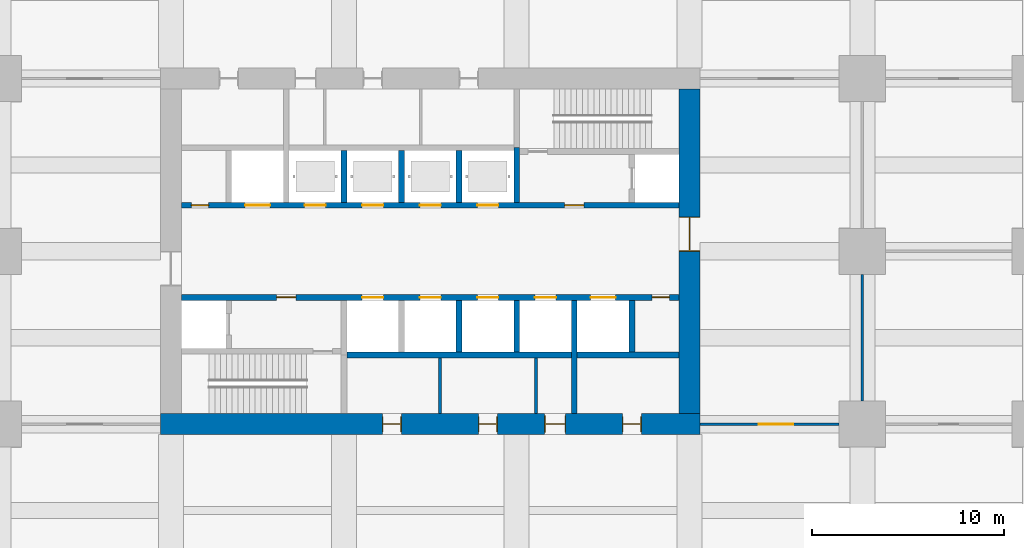
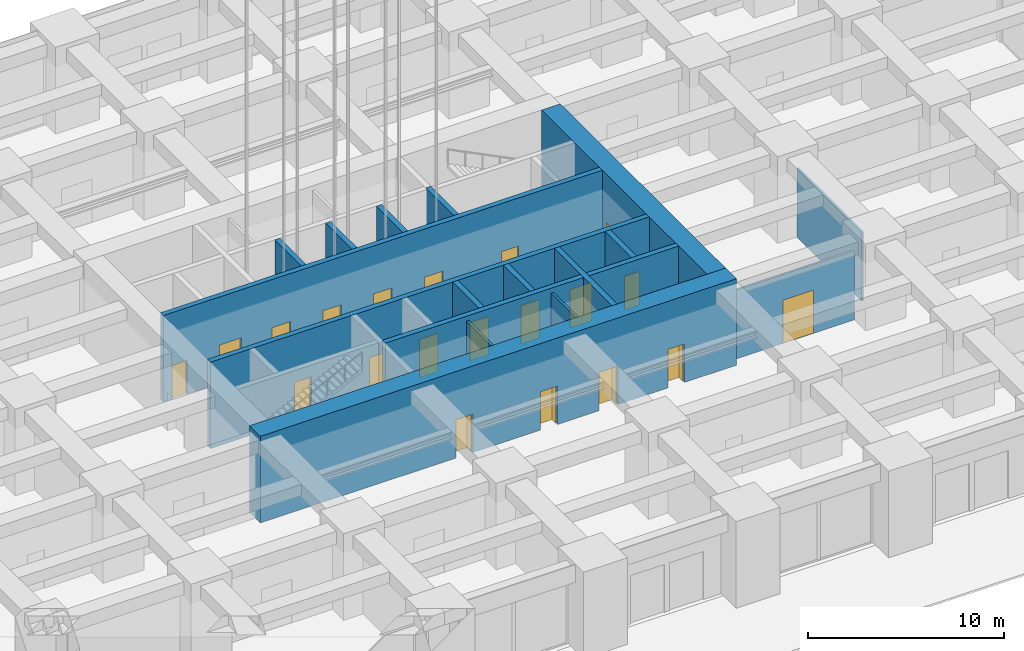
# One storey, part 42 of 56: 20 doors, 17 walls, 20 openings.
"""IFC4 building model written with IfcOpenShell, lengths in metres."""

from ifc_helpers import new_model, si_unit, direction, frame, frame_2d, origin, place, context, subcontext, project, spatial, rectangle, extrude, material, layer, layer_set, type_object, element, fill, save


model = new_model("IFC4")

# Units and contexts
model_context = context("Model", 3, precision=1e-05, world=origin(), true_north=direction((0.0, 1.0)))
body_context = subcontext(model_context, "Body", "Model", "MODEL_VIEW")
ifc_project = project(units=[si_unit("LENGTHUNIT", "METRE"), si_unit("AREAUNIT", "SQUARE_METRE"), si_unit("VOLUMEUNIT", "CUBIC_METRE"), si_unit("PLANEANGLEUNIT", "RADIAN"), si_unit("MASSUNIT", "GRAM", prefix="KILO")], contexts=[model_context])

# Site, building, storey
site_placement = place(None, origin())
site = spatial("IfcSite", under=ifc_project, at=site_placement, CompositionType="ELEMENT")
building_placement = place(site_placement, origin())
building = spatial("IfcBuilding", under=site, at=building_placement, Name="Zorevar Civic Tower", CompositionType="ELEMENT")
storey_placement = place(building_placement, origin())
storey = spatial("IfcBuildingStorey", under=building, at=storey_placement, Name="L00", CompositionType="ELEMENT", Elevation=0.0)

# Wall, openings, doors
ifc_material_1 = material(Name="Concrete C50/60", Category="concrete")
ifc_layer_1 = layer(ifc_material_1, 1.10009765625)
ifc_layer_set_1 = layer_set([ifc_layer_1], Name="Core wall 1100")
wall_type_1 = type_object("IfcWallType", Name="Core wall 1100", PredefinedType="SHEAR", material=ifc_layer_set_1)
wall_1_placement = place(storey_placement, frame((17.449951171875, 18.0, 0.0), z_axis=(0.0, 0.0, 1.0), x_axis=(1.0, 0.0, 0.0)))
wall_1 = element("IfcWall", 1, at=wall_1_placement, inside=storey, type_object=wall_type_1, Name="Core wall S L00", PredefinedType="SHEAR", context=body_context, shape_type="SweptSolid", body=[
    extrude(rectangle(XDim=28.10009765625, YDim=1.10009765625, at=frame_2d((14.050048828125, 0.0))), origin(), (0.0, 0.0, 1.0), 5.39990234375),
])
opening_1_placement = place(wall_1_placement, frame((11.550048828125, 0.0, 0.0)))
opening_1 = element("IfcOpeningElement", 2, at=opening_1_placement, cuts=wall_1, Name="Opening L00.03", PredefinedType="OPENING", context=body_context, shape_type="SweptSolid", body=[
    extrude(rectangle(XDim=1.0, YDim=2.39990234375, at=frame_2d((0.5, 1.199951171875))), frame((0.0, 0.56005859375, 0.0), z_axis=(0.0, -1.0, 0.0), x_axis=(1.0, 0.0, 0.0)), (0.0, 0.0, 1.0), 1.1201171875),
])
opening_2_placement = place(wall_1_placement, frame((16.550048828125, 0.0, 0.0)))
opening_2 = element("IfcOpeningElement", 3, at=opening_2_placement, cuts=wall_1, Name="Opening L00.04", PredefinedType="OPENING", context=body_context, shape_type="SweptSolid", body=[
    extrude(rectangle(XDim=1.0, YDim=2.39990234375, at=frame_2d((0.5, 1.199951171875))), frame((0.0, 0.56005859375, 0.0), z_axis=(0.0, -1.0, 0.0), x_axis=(1.0, 0.0, 0.0)), (0.0, 0.0, 1.0), 1.1201171875),
])
opening_3_placement = place(wall_1_placement, frame((20.0, 0.0, 0.0)))
opening_3 = element("IfcOpeningElement", 4, at=opening_3_placement, cuts=wall_1, Name="Opening L00.05", PredefinedType="OPENING", context=body_context, shape_type="SweptSolid", body=[
    extrude(rectangle(XDim=1.10009765625, YDim=2.39990234375, at=frame_2d((0.550048828125, 1.199951171875))), frame((0.0, 0.56005859375, 0.0), z_axis=(0.0, -1.0, 0.0), x_axis=(1.0, 0.0, 0.0)), (0.0, 0.0, 1.0), 1.1201171875),
])
opening_4_placement = place(wall_1_placement, frame((24.050048828125, 0.0, 0.0)))
opening_4 = element("IfcOpeningElement", 5, at=opening_4_placement, cuts=wall_1, Name="Opening L00.06", PredefinedType="OPENING", context=body_context, shape_type="SweptSolid", body=[
    extrude(rectangle(XDim=1.0, YDim=2.39990234375, at=frame_2d((0.5, 1.199951171875))), frame((0.0, 0.56005859375, 0.0), z_axis=(0.0, -1.0, 0.0), x_axis=(1.0, 0.0, 0.0)), (0.0, 0.0, 1.0), 1.1201171875),
])
ifc_material_2 = material(Name="Timber door set", Category="wood")
door_type_1 = type_object("IfcDoorType", Name="Door D1 1000x2400", OperationType="SINGLE_SWING_LEFT", PredefinedType="DOOR", material=ifc_material_2)
door_1_placement = place(opening_1_placement, origin())
door_1 = element("IfcDoor", 6, at=door_1_placement, inside=storey, type_object=door_type_1, Name="Door L00 02", OperationType="SINGLE_SWING_RIGHT", OverallHeight=2.39990234375, OverallWidth=1.0, PredefinedType="DOOR", context=body_context, shape_type="SweptSolid", body=[
    extrude(rectangle(XDim=1.0, YDim=2.39990234375, at=frame_2d((0.5, 1.199951171875))), frame((0.0, 0.02490234375, 0.0), z_axis=(0.0, -1.0, 0.0), x_axis=(1.0, 0.0, 0.0)), (0.0, 0.0, 1.0), 0.050048828125),
    extrude(rectangle(XDim=0.04, YDim=2.39990234375, at=frame_2d((0.02001953125, 1.199951171875))), frame((0.0, 0.39990234375, 0.0), z_axis=(0.0, -1.0, 0.0), x_axis=(1.0, 0.0, 0.0)), (0.0, 0.0, 1.0), 0.800048828125),
    extrude(rectangle(XDim=0.04, YDim=2.39990234375, at=frame_2d((0.97998046875, 1.199951171875))), frame((0.0, 0.39990234375, 0.0), z_axis=(0.0, -1.0, 0.0), x_axis=(1.0, 0.0, 0.0)), (0.0, 0.0, 1.0), 0.800048828125),
    extrude(rectangle(XDim=1.0, YDim=0.04, at=frame_2d((0.5, 2.3798828125))), frame((0.0, 0.39990234375, 0.0), z_axis=(0.0, -1.0, 0.0), x_axis=(1.0, 0.0, 0.0)), (0.0, 0.0, 1.0), 0.800048828125),
])
fill(opening_1, door_1)
door_2_placement = place(opening_2_placement, origin())
door_2 = element("IfcDoor", 7, at=door_2_placement, inside=storey, type_object=door_type_1, Name="Door L00 03", OperationType="SINGLE_SWING_LEFT", OverallHeight=2.39990234375, OverallWidth=1.0, PredefinedType="DOOR", context=body_context, shape_type="SweptSolid", body=[
    extrude(rectangle(XDim=1.0, YDim=2.39990234375, at=frame_2d((0.5, 1.199951171875))), frame((0.0, 0.02490234375, 0.0), z_axis=(0.0, -1.0, 0.0), x_axis=(1.0, 0.0, 0.0)), (0.0, 0.0, 1.0), 0.050048828125),
    extrude(rectangle(XDim=0.04, YDim=2.39990234375, at=frame_2d((0.02001953125, 1.199951171875))), frame((0.0, 0.39990234375, 0.0), z_axis=(0.0, -1.0, 0.0), x_axis=(1.0, 0.0, 0.0)), (0.0, 0.0, 1.0), 0.800048828125),
    extrude(rectangle(XDim=0.04, YDim=2.39990234375, at=frame_2d((0.97998046875, 1.199951171875))), frame((0.0, 0.39990234375, 0.0), z_axis=(0.0, -1.0, 0.0), x_axis=(1.0, 0.0, 0.0)), (0.0, 0.0, 1.0), 0.800048828125),
    extrude(rectangle(XDim=1.0, YDim=0.04, at=frame_2d((0.5, 2.3798828125))), frame((0.0, 0.39990234375, 0.0), z_axis=(0.0, -1.0, 0.0), x_axis=(1.0, 0.0, 0.0)), (0.0, 0.0, 1.0), 0.800048828125),
])
fill(opening_2, door_2)
door_3_placement = place(opening_4_placement, origin())
door_3 = element("IfcDoor", 8, at=door_3_placement, inside=storey, type_object=door_type_1, Name="Door L00 05", OperationType="SINGLE_SWING_LEFT", OverallHeight=2.39990234375, OverallWidth=1.0, PredefinedType="DOOR", context=body_context, shape_type="SweptSolid", body=[
    extrude(rectangle(XDim=1.0, YDim=2.39990234375, at=frame_2d((0.5, 1.199951171875))), frame((0.0, 0.02490234375, 0.0), z_axis=(0.0, -1.0, 0.0), x_axis=(1.0, 0.0, 0.0)), (0.0, 0.0, 1.0), 0.050048828125),
    extrude(rectangle(XDim=0.04, YDim=2.39990234375, at=frame_2d((0.02001953125, 1.199951171875))), frame((0.0, 0.39990234375, 0.0), z_axis=(0.0, -1.0, 0.0), x_axis=(1.0, 0.0, 0.0)), (0.0, 0.0, 1.0), 0.800048828125),
    extrude(rectangle(XDim=0.04, YDim=2.39990234375, at=frame_2d((0.97998046875, 1.199951171875))), frame((0.0, 0.39990234375, 0.0), z_axis=(0.0, -1.0, 0.0), x_axis=(1.0, 0.0, 0.0)), (0.0, 0.0, 1.0), 0.800048828125),
    extrude(rectangle(XDim=1.0, YDim=0.04, at=frame_2d((0.5, 2.3798828125))), frame((0.0, 0.39990234375, 0.0), z_axis=(0.0, -1.0, 0.0), x_axis=(1.0, 0.0, 0.0)), (0.0, 0.0, 1.0), 0.800048828125),
])
fill(opening_4, door_3)
ifc_material_3 = material(Name="Timber door set", Category="wood")
door_type_2 = type_object("IfcDoorType", Name="Door D5 1100x2400", OperationType="SINGLE_SWING_LEFT", PredefinedType="DOOR", material=ifc_material_3)
door_4_placement = place(opening_3_placement, origin())
door_4 = element("IfcDoor", 9, at=door_4_placement, inside=storey, type_object=door_type_2, Name="Door L00 04", OperationType="SINGLE_SWING_LEFT", OverallHeight=2.39990234375, OverallWidth=1.10009765625, PredefinedType="DOOR", context=body_context, shape_type="SweptSolid", body=[
    extrude(rectangle(XDim=1.10009765625, YDim=2.39990234375, at=frame_2d((0.550048828125, 1.199951171875))), frame((0.0, 0.02490234375, 0.0), z_axis=(0.0, -1.0, 0.0), x_axis=(1.0, 0.0, 0.0)), (0.0, 0.0, 1.0), 0.050048828125),
    extrude(rectangle(XDim=0.04, YDim=2.39990234375, at=frame_2d((0.02001953125, 1.199951171875))), frame((0.0, 0.43994140625, 0.0), z_axis=(0.0, -1.0, 0.0), x_axis=(1.0, 0.0, 0.0)), (0.0, 0.0, 1.0), 0.880126953125),
    extrude(rectangle(XDim=0.04, YDim=2.39990234375, at=frame_2d((1.080078125, 1.199951171875))), frame((0.0, 0.43994140625, 0.0), z_axis=(0.0, -1.0, 0.0), x_axis=(1.0, 0.0, 0.0)), (0.0, 0.0, 1.0), 0.880126953125),
    extrude(rectangle(XDim=1.10009765625, YDim=0.04, at=frame_2d((0.550048828125, 2.3798828125))), frame((0.0, 0.43994140625, 0.0), z_axis=(0.0, -1.0, 0.0), x_axis=(1.0, 0.0, 0.0)), (0.0, 0.0, 1.0), 0.880126953125),
])
fill(opening_3, door_4)

# Wall, opening, door
wall_2_placement = place(storey_placement, frame((45.0, 18.550048828125, 0.0), z_axis=(0.0, 0.0, 1.0), x_axis=(0.0, 1.0, 0.0)))
wall_2 = element("IfcWall", 10, at=wall_2_placement, inside=storey, type_object=wall_type_1, Name="Core wall E L00", PredefinedType="SHEAR", context=body_context, shape_type="SweptSolid", body=[
    extrude(rectangle(XDim=16.89990234375, YDim=1.10009765625, at=frame_2d((8.449951171875, 0.0))), origin(), (0.0, 0.0, 1.0), 5.39990234375),
])
opening_5_placement = place(wall_2_placement, frame((8.449951171875, 0.0, 0.0)))
opening_5 = element("IfcOpeningElement", 11, at=opening_5_placement, cuts=wall_2, Name="Opening L00.02", PredefinedType="OPENING", context=body_context, shape_type="SweptSolid", body=[
    extrude(rectangle(XDim=1.800048828125, YDim=2.39990234375, at=frame_2d((0.89990234375, 1.199951171875))), frame((0.0, 0.56005859375, 0.0), z_axis=(0.0, -1.0, 0.0), x_axis=(1.0, 0.0, 0.0)), (0.0, 0.0, 1.0), 1.1201171875),
])
ifc_material_4 = material(Name="Steel door set", Category="steel")
door_type_3 = type_object("IfcDoorType", Name="Fire door FD2 1800x2400", OperationType="DOUBLE_DOOR_DOUBLE_SWING", PredefinedType="DOOR", material=ifc_material_4)
door_5_placement = place(opening_5_placement, origin())
door_5 = element("IfcDoor", 12, at=door_5_placement, inside=storey, type_object=door_type_3, Name="Door L00 01", OperationType="DOUBLE_DOOR_DOUBLE_SWING", OverallHeight=2.39990234375, OverallWidth=1.800048828125, PredefinedType="DOOR", context=body_context, shape_type="SweptSolid", body=[
    extrude(rectangle(XDim=1.800048828125, YDim=2.39990234375, at=frame_2d((0.89990234375, 1.199951171875))), frame((0.0, 0.030029296875, 0.0), z_axis=(0.0, -1.0, 0.0), x_axis=(1.0, 0.0, 0.0)), (0.0, 0.0, 1.0), 0.06005859375),
    extrude(rectangle(XDim=0.04, YDim=2.39990234375, at=frame_2d((0.02001953125, 1.199951171875))), frame((0.0, 0.5498046875, 0.0), z_axis=(0.0, -1.0, 0.0), x_axis=(1.0, 0.0, 0.0)), (0.0, 0.0, 1.0), 1.099609375),
    extrude(rectangle(XDim=0.04, YDim=2.39990234375, at=frame_2d((1.780029296875, 1.199951171875))), frame((0.0, 0.5498046875, 0.0), z_axis=(0.0, -1.0, 0.0), x_axis=(1.0, 0.0, 0.0)), (0.0, 0.0, 1.0), 1.099609375),
    extrude(rectangle(XDim=1.800048828125, YDim=0.04, at=frame_2d((0.89990234375, 2.3798828125))), frame((0.0, 0.5498046875, 0.0), z_axis=(0.0, -1.0, 0.0), x_axis=(1.0, 0.0, 0.0)), (0.0, 0.0, 1.0), 1.099609375),
])
fill(opening_5, door_5)

# Wall, openings, doors
ifc_material_5 = material(Name="Concrete C40/50", Category="concrete")
ifc_layer_2 = layer(ifc_material_5, 0.300048828125)
ifc_layer_set_2 = layer_set([ifc_layer_2], Name="Inner core wall 300")
wall_type_2 = type_object("IfcWallType", Name="Inner core wall 300", PredefinedType="SHEAR", material=ifc_layer_set_2)
wall_3_placement = place(storey_placement, frame((18.550048828125, 24.60009765625, 0.0), z_axis=(0.0, 0.0, 1.0), x_axis=(1.0, 0.0, 0.0)))
wall_3 = element("IfcWall", 13, at=wall_3_placement, inside=storey, type_object=wall_type_2, Name="Inner core wall S03 L00", PredefinedType="SHEAR", context=body_context, shape_type="SweptSolid", body=[
    extrude(rectangle(XDim=25.89990234375, YDim=0.300048828125, at=frame_2d((12.949951171875, 0.0))), origin(), (0.0, 0.0, 1.0), 5.39990234375),
])
opening_6_placement = place(wall_3_placement, frame((4.949951171875, 0.0, 0.0)))
opening_6 = element("IfcOpeningElement", 14, at=opening_6_placement, cuts=wall_3, Name="Opening L00.13", PredefinedType="OPENING", context=body_context, shape_type="SweptSolid", body=[
    extrude(rectangle(XDim=1.0, YDim=2.39990234375, at=frame_2d((0.5, 1.199951171875))), frame((0.0, 0.159912109375, 0.0), z_axis=(0.0, -1.0, 0.0), x_axis=(1.0, 0.0, 0.0)), (0.0, 0.0, 1.0), 0.320068359375),
])
opening_7_placement = place(wall_3_placement, frame((24.5, 0.0, 0.0)))
opening_7 = element("IfcOpeningElement", 15, at=opening_7_placement, cuts=wall_3, Name="Opening L00.15", PredefinedType="OPENING", context=body_context, shape_type="SweptSolid", body=[
    extrude(rectangle(XDim=0.89990234375, YDim=2.10009765625, at=frame_2d((0.449951171875, 1.050048828125))), frame((0.0, 0.159912109375, 0.0), z_axis=(0.0, -1.0, 0.0), x_axis=(1.0, 0.0, 0.0)), (0.0, 0.0, 1.0), 0.320068359375),
])
opening_8_placement = place(wall_3_placement, frame((9.39990234375, 0.0, 0.0)))
opening_8 = element("IfcOpeningElement", 16, at=opening_8_placement, cuts=wall_3, Name="Opening L00.LP1", PredefinedType="OPENING", context=body_context, shape_type="SweptSolid", body=[
    extrude(rectangle(XDim=1.10009765625, YDim=2.39990234375, at=frame_2d((0.550048828125, 1.199951171875))), frame((0.0, 0.159912109375, 0.0), z_axis=(0.0, -1.0, 0.0), x_axis=(1.0, 0.0, 0.0)), (0.0, 0.0, 1.0), 0.320068359375),
])
opening_9_placement = place(wall_3_placement, frame((12.39990234375, 0.0, 0.0)))
opening_9 = element("IfcOpeningElement", 17, at=opening_9_placement, cuts=wall_3, Name="Opening L00.LP2", PredefinedType="OPENING", context=body_context, shape_type="SweptSolid", body=[
    extrude(rectangle(XDim=1.10009765625, YDim=2.39990234375, at=frame_2d((0.550048828125, 1.199951171875))), frame((0.0, 0.159912109375, 0.0), z_axis=(0.0, -1.0, 0.0), x_axis=(1.0, 0.0, 0.0)), (0.0, 0.0, 1.0), 0.320068359375),
])
opening_10_placement = place(wall_3_placement, frame((15.39990234375, 0.0, 0.0)))
opening_10 = element("IfcOpeningElement", 18, at=opening_10_placement, cuts=wall_3, Name="Opening L00.LP3", PredefinedType="OPENING", context=body_context, shape_type="SweptSolid", body=[
    extrude(rectangle(XDim=1.10009765625, YDim=2.39990234375, at=frame_2d((0.550048828125, 1.199951171875))), frame((0.0, 0.159912109375, 0.0), z_axis=(0.0, -1.0, 0.0), x_axis=(1.0, 0.0, 0.0)), (0.0, 0.0, 1.0), 0.320068359375),
])
opening_11_placement = place(wall_3_placement, frame((18.39990234375, 0.0, 0.0)))
opening_11 = element("IfcOpeningElement", 19, at=opening_11_placement, cuts=wall_3, Name="Opening L00.LP4", PredefinedType="OPENING", context=body_context, shape_type="SweptSolid", body=[
    extrude(rectangle(XDim=1.10009765625, YDim=2.39990234375, at=frame_2d((0.550048828125, 1.199951171875))), frame((0.0, 0.159912109375, 0.0), z_axis=(0.0, -1.0, 0.0), x_axis=(1.0, 0.0, 0.0)), (0.0, 0.0, 1.0), 0.320068359375),
])
opening_12_placement = place(wall_3_placement, frame((21.300048828125, 0.0, 0.0)))
opening_12 = element("IfcOpeningElement", 20, at=opening_12_placement, cuts=wall_3, Name="Opening L00.SL1", PredefinedType="OPENING", context=body_context, shape_type="SweptSolid", body=[
    extrude(rectangle(XDim=1.300048828125, YDim=2.39990234375, at=frame_2d((0.64990234375, 1.199951171875))), frame((0.0, 0.159912109375, 0.0), z_axis=(0.0, -1.0, 0.0), x_axis=(1.0, 0.0, 0.0)), (0.0, 0.0, 1.0), 0.320068359375),
])
ifc_material_6 = material(Name="Steel door set", Category="steel")
door_type_4 = type_object("IfcDoorType", Name="Fire door FD1 1000x2400", OperationType="SINGLE_SWING_LEFT", PredefinedType="DOOR", material=ifc_material_6)
door_6_placement = place(opening_6_placement, origin())
door_6 = element("IfcDoor", 21, at=door_6_placement, inside=storey, type_object=door_type_4, Name="Door L00 12", OperationType="SINGLE_SWING_RIGHT", OverallHeight=2.39990234375, OverallWidth=1.0, PredefinedType="DOOR", context=body_context, shape_type="SweptSolid", body=[
    extrude(rectangle(XDim=1.0, YDim=2.39990234375, at=frame_2d((0.5, 1.199951171875))), frame((0.0, 0.030029296875, 0.0), z_axis=(0.0, -1.0, 0.0), x_axis=(1.0, 0.0, 0.0)), (0.0, 0.0, 1.0), 0.06005859375),
])
fill(opening_6, door_6)
ifc_material_7 = material(Name="Steel door set", Category="steel")
door_type_5 = type_object("IfcDoorType", Name="Landing door LD1 1100x2400", OperationType="DOUBLE_DOOR_SLIDING", PredefinedType="DOOR", material=ifc_material_7)
door_7_placement = place(opening_8_placement, origin())
door_7 = element("IfcDoor", 22, at=door_7_placement, inside=storey, type_object=door_type_5, Name="Landing door LP1 L00", OperationType="DOUBLE_DOOR_SLIDING", OverallHeight=2.39990234375, OverallWidth=1.10009765625, PredefinedType="DOOR", context=body_context, shape_type="SweptSolid", body=[
    extrude(rectangle(XDim=1.10009765625, YDim=2.39990234375, at=frame_2d((0.550048828125, 1.199951171875))), frame((0.0, 0.02001953125, 0.0), z_axis=(0.0, -1.0, 0.0), x_axis=(1.0, 0.0, 0.0)), (0.0, 0.0, 1.0), 0.0400390625),
])
fill(opening_8, door_7)
door_8_placement = place(opening_9_placement, origin())
door_8 = element("IfcDoor", 23, at=door_8_placement, inside=storey, type_object=door_type_5, Name="Landing door LP2 L00", OperationType="DOUBLE_DOOR_SLIDING", OverallHeight=2.39990234375, OverallWidth=1.10009765625, PredefinedType="DOOR", context=body_context, shape_type="SweptSolid", body=[
    extrude(rectangle(XDim=1.10009765625, YDim=2.39990234375, at=frame_2d((0.550048828125, 1.199951171875))), frame((0.0, 0.02001953125, 0.0), z_axis=(0.0, -1.0, 0.0), x_axis=(1.0, 0.0, 0.0)), (0.0, 0.0, 1.0), 0.0400390625),
])
fill(opening_9, door_8)
door_9_placement = place(opening_10_placement, origin())
door_9 = element("IfcDoor", 24, at=door_9_placement, inside=storey, type_object=door_type_5, Name="Landing door LP3 L00", OperationType="DOUBLE_DOOR_SLIDING", OverallHeight=2.39990234375, OverallWidth=1.10009765625, PredefinedType="DOOR", context=body_context, shape_type="SweptSolid", body=[
    extrude(rectangle(XDim=1.10009765625, YDim=2.39990234375, at=frame_2d((0.550048828125, 1.199951171875))), frame((0.0, 0.02001953125, 0.0), z_axis=(0.0, -1.0, 0.0), x_axis=(1.0, 0.0, 0.0)), (0.0, 0.0, 1.0), 0.0400390625),
])
fill(opening_10, door_9)
door_10_placement = place(opening_11_placement, origin())
door_10 = element("IfcDoor", 25, at=door_10_placement, inside=storey, type_object=door_type_5, Name="Landing door LP4 L00", OperationType="DOUBLE_DOOR_SLIDING", OverallHeight=2.39990234375, OverallWidth=1.10009765625, PredefinedType="DOOR", context=body_context, shape_type="SweptSolid", body=[
    extrude(rectangle(XDim=1.10009765625, YDim=2.39990234375, at=frame_2d((0.550048828125, 1.199951171875))), frame((0.0, 0.02001953125, 0.0), z_axis=(0.0, -1.0, 0.0), x_axis=(1.0, 0.0, 0.0)), (0.0, 0.0, 1.0), 0.0400390625),
])
fill(opening_11, door_10)
ifc_material_8 = material(Name="Steel door set", Category="steel")
door_type_6 = type_object("IfcDoorType", Name="Landing door LD2 1300x2400", OperationType="DOUBLE_DOOR_SLIDING", PredefinedType="DOOR", material=ifc_material_8)
door_11_placement = place(opening_12_placement, origin())
door_11 = element("IfcDoor", 26, at=door_11_placement, inside=storey, type_object=door_type_6, Name="Landing door SL1 L00", OperationType="DOUBLE_DOOR_SLIDING", OverallHeight=2.39990234375, OverallWidth=1.300048828125, PredefinedType="DOOR", context=body_context, shape_type="SweptSolid", body=[
    extrude(rectangle(XDim=1.300048828125, YDim=2.39990234375, at=frame_2d((0.64990234375, 1.199951171875))), frame((0.0, 0.02001953125, 0.0), z_axis=(0.0, -1.0, 0.0), x_axis=(1.0, 0.0, 0.0)), (0.0, 0.0, 1.0), 0.0400390625),
])
fill(opening_12, door_11)
ifc_material_9 = material(Name="Steel door set", Category="steel")
door_type_7 = type_object("IfcDoorType", Name="Riser door RD1 900x2100", OperationType="SINGLE_SWING_LEFT", PredefinedType="DOOR", material=ifc_material_9)
door_12_placement = place(opening_7_placement, origin())
door_12 = element("IfcDoor", 27, at=door_12_placement, inside=storey, type_object=door_type_7, Name="Door L00 14", OperationType="SINGLE_SWING_RIGHT", OverallHeight=2.10009765625, OverallWidth=0.89990234375, PredefinedType="DOOR", context=body_context, shape_type="SweptSolid", body=[
    extrude(rectangle(XDim=0.89990234375, YDim=2.10009765625, at=frame_2d((0.449951171875, 1.050048828125))), frame((0.0, 0.030029296875, 0.0), z_axis=(0.0, -1.0, 0.0), x_axis=(1.0, 0.0, 0.0)), (0.0, 0.0, 1.0), 0.06005859375),
])
fill(opening_7, door_12)

wall_4_placement = place(storey_placement, frame((18.550048828125, 29.39990234375, 0.0), z_axis=(0.0, 0.0, 1.0), x_axis=(1.0, 0.0, 0.0)))
wall_4 = element("IfcWall", 28, at=wall_4_placement, inside=storey, type_object=wall_type_2, Name="Inner core wall N03 L00", PredefinedType="SHEAR", context=body_context, shape_type="SweptSolid", body=[
    extrude(rectangle(XDim=25.89990234375, YDim=0.300048828125, at=frame_2d((12.949951171875, 0.0))), origin(), (0.0, 0.0, 1.0), 5.39990234375),
])
opening_13_placement = place(wall_4_placement, frame((19.949951171875, 0.0, 0.0)))
opening_13 = element("IfcOpeningElement", 29, at=opening_13_placement, cuts=wall_4, Name="Opening L00.14", PredefinedType="OPENING", context=body_context, shape_type="SweptSolid", body=[
    extrude(rectangle(XDim=1.0, YDim=2.39990234375, at=frame_2d((0.5, 1.199951171875))), frame((0.0, 0.159912109375, 0.0), z_axis=(0.0, -1.0, 0.0), x_axis=(1.0, 0.0, 0.0)), (0.0, 0.0, 1.0), 0.320068359375),
])
opening_14_placement = place(wall_4_placement, frame((0.5, 0.0, 0.0)))
opening_14 = element("IfcOpeningElement", 30, at=opening_14_placement, cuts=wall_4, Name="Opening L00.16", PredefinedType="OPENING", context=body_context, shape_type="SweptSolid", body=[
    extrude(rectangle(XDim=0.89990234375, YDim=2.10009765625, at=frame_2d((0.449951171875, 1.050048828125))), frame((0.0, 0.159912109375, 0.0), z_axis=(0.0, -1.0, 0.0), x_axis=(1.0, 0.0, 0.0)), (0.0, 0.0, 1.0), 0.320068359375),
])
opening_15_placement = place(wall_4_placement, frame((15.39990234375, 0.0, 0.0)))
opening_15 = element("IfcOpeningElement", 31, at=opening_15_placement, cuts=wall_4, Name="Opening L00.LM1", PredefinedType="OPENING", context=body_context, shape_type="SweptSolid", body=[
    extrude(rectangle(XDim=1.10009765625, YDim=2.39990234375, at=frame_2d((0.550048828125, 1.199951171875))), frame((0.0, 0.159912109375, 0.0), z_axis=(0.0, -1.0, 0.0), x_axis=(1.0, 0.0, 0.0)), (0.0, 0.0, 1.0), 0.320068359375),
])
opening_16_placement = place(wall_4_placement, frame((12.39990234375, 0.0, 0.0)))
opening_16 = element("IfcOpeningElement", 32, at=opening_16_placement, cuts=wall_4, Name="Opening L00.LM2", PredefinedType="OPENING", context=body_context, shape_type="SweptSolid", body=[
    extrude(rectangle(XDim=1.10009765625, YDim=2.39990234375, at=frame_2d((0.550048828125, 1.199951171875))), frame((0.0, 0.159912109375, 0.0), z_axis=(0.0, -1.0, 0.0), x_axis=(1.0, 0.0, 0.0)), (0.0, 0.0, 1.0), 0.320068359375),
])
opening_17_placement = place(wall_4_placement, frame((9.39990234375, 0.0, 0.0)))
opening_17 = element("IfcOpeningElement", 33, at=opening_17_placement, cuts=wall_4, Name="Opening L00.LH1", PredefinedType="OPENING", context=body_context, shape_type="SweptSolid", body=[
    extrude(rectangle(XDim=1.10009765625, YDim=2.39990234375, at=frame_2d((0.550048828125, 1.199951171875))), frame((0.0, 0.159912109375, 0.0), z_axis=(0.0, -1.0, 0.0), x_axis=(1.0, 0.0, 0.0)), (0.0, 0.0, 1.0), 0.320068359375),
])
opening_18_placement = place(wall_4_placement, frame((6.39990234375, 0.0, 0.0)))
opening_18 = element("IfcOpeningElement", 34, at=opening_18_placement, cuts=wall_4, Name="Opening L00.LH2", PredefinedType="OPENING", context=body_context, shape_type="SweptSolid", body=[
    extrude(rectangle(XDim=1.10009765625, YDim=2.39990234375, at=frame_2d((0.550048828125, 1.199951171875))), frame((0.0, 0.159912109375, 0.0), z_axis=(0.0, -1.0, 0.0), x_axis=(1.0, 0.0, 0.0)), (0.0, 0.0, 1.0), 0.320068359375),
])
opening_19_placement = place(wall_4_placement, frame((3.300048828125, 0.0, 0.0)))
opening_19 = element("IfcOpeningElement", 35, at=opening_19_placement, cuts=wall_4, Name="Opening L00.SL2", PredefinedType="OPENING", context=body_context, shape_type="SweptSolid", body=[
    extrude(rectangle(XDim=1.300048828125, YDim=2.39990234375, at=frame_2d((0.64990234375, 1.199951171875))), frame((0.0, 0.159912109375, 0.0), z_axis=(0.0, -1.0, 0.0), x_axis=(1.0, 0.0, 0.0)), (0.0, 0.0, 1.0), 0.320068359375),
])
door_13_placement = place(opening_13_placement, origin())
door_13 = element("IfcDoor", 36, at=door_13_placement, inside=storey, type_object=door_type_4, Name="Door L00 13", OperationType="SINGLE_SWING_RIGHT", OverallHeight=2.39990234375, OverallWidth=1.0, PredefinedType="DOOR", context=body_context, shape_type="SweptSolid", body=[
    extrude(rectangle(XDim=1.0, YDim=2.39990234375, at=frame_2d((0.5, 1.199951171875))), frame((0.0, 0.030029296875, 0.0), z_axis=(0.0, -1.0, 0.0), x_axis=(1.0, 0.0, 0.0)), (0.0, 0.0, 1.0), 0.06005859375),
])
fill(opening_13, door_13)
door_14_placement = place(opening_15_placement, origin())
door_14 = element("IfcDoor", 37, at=door_14_placement, inside=storey, type_object=door_type_5, Name="Landing door LM1 L00", OperationType="DOUBLE_DOOR_SLIDING", OverallHeight=2.39990234375, OverallWidth=1.10009765625, PredefinedType="DOOR", context=body_context, shape_type="SweptSolid", body=[
    extrude(rectangle(XDim=1.10009765625, YDim=2.39990234375, at=frame_2d((0.550048828125, 1.199951171875))), frame((0.0, 0.02001953125, 0.0), z_axis=(0.0, -1.0, 0.0), x_axis=(1.0, 0.0, 0.0)), (0.0, 0.0, 1.0), 0.0400390625),
])
fill(opening_15, door_14)
door_15_placement = place(opening_16_placement, origin())
door_15 = element("IfcDoor", 38, at=door_15_placement, inside=storey, type_object=door_type_5, Name="Landing door LM2 L00", OperationType="DOUBLE_DOOR_SLIDING", OverallHeight=2.39990234375, OverallWidth=1.10009765625, PredefinedType="DOOR", context=body_context, shape_type="SweptSolid", body=[
    extrude(rectangle(XDim=1.10009765625, YDim=2.39990234375, at=frame_2d((0.550048828125, 1.199951171875))), frame((0.0, 0.02001953125, 0.0), z_axis=(0.0, -1.0, 0.0), x_axis=(1.0, 0.0, 0.0)), (0.0, 0.0, 1.0), 0.0400390625),
])
fill(opening_16, door_15)
door_16_placement = place(opening_17_placement, origin())
door_16 = element("IfcDoor", 39, at=door_16_placement, inside=storey, type_object=door_type_5, Name="Landing door LH1 L00", OperationType="DOUBLE_DOOR_SLIDING", OverallHeight=2.39990234375, OverallWidth=1.10009765625, PredefinedType="DOOR", context=body_context, shape_type="SweptSolid", body=[
    extrude(rectangle(XDim=1.10009765625, YDim=2.39990234375, at=frame_2d((0.550048828125, 1.199951171875))), frame((0.0, 0.02001953125, 0.0), z_axis=(0.0, -1.0, 0.0), x_axis=(1.0, 0.0, 0.0)), (0.0, 0.0, 1.0), 0.0400390625),
])
fill(opening_17, door_16)
door_17_placement = place(opening_18_placement, origin())
door_17 = element("IfcDoor", 40, at=door_17_placement, inside=storey, type_object=door_type_5, Name="Landing door LH2 L00", OperationType="DOUBLE_DOOR_SLIDING", OverallHeight=2.39990234375, OverallWidth=1.10009765625, PredefinedType="DOOR", context=body_context, shape_type="SweptSolid", body=[
    extrude(rectangle(XDim=1.10009765625, YDim=2.39990234375, at=frame_2d((0.550048828125, 1.199951171875))), frame((0.0, 0.02001953125, 0.0), z_axis=(0.0, -1.0, 0.0), x_axis=(1.0, 0.0, 0.0)), (0.0, 0.0, 1.0), 0.0400390625),
])
fill(opening_18, door_17)
door_18_placement = place(opening_19_placement, origin())
door_18 = element("IfcDoor", 41, at=door_18_placement, inside=storey, type_object=door_type_6, Name="Landing door SL2 L00", OperationType="DOUBLE_DOOR_SLIDING", OverallHeight=2.39990234375, OverallWidth=1.300048828125, PredefinedType="DOOR", context=body_context, shape_type="SweptSolid", body=[
    extrude(rectangle(XDim=1.300048828125, YDim=2.39990234375, at=frame_2d((0.64990234375, 1.199951171875))), frame((0.0, 0.02001953125, 0.0), z_axis=(0.0, -1.0, 0.0), x_axis=(1.0, 0.0, 0.0)), (0.0, 0.0, 1.0), 0.0400390625),
])
fill(opening_19, door_18)
door_19_placement = place(opening_14_placement, origin())
door_19 = element("IfcDoor", 42, at=door_19_placement, inside=storey, type_object=door_type_7, Name="Door L00 15", OperationType="SINGLE_SWING_RIGHT", OverallHeight=2.10009765625, OverallWidth=0.89990234375, PredefinedType="DOOR", context=body_context, shape_type="SweptSolid", body=[
    extrude(rectangle(XDim=0.89990234375, YDim=2.10009765625, at=frame_2d((0.449951171875, 1.050048828125))), frame((0.0, 0.030029296875, 0.0), z_axis=(0.0, -1.0, 0.0), x_axis=(1.0, 0.0, 0.0)), (0.0, 0.0, 1.0), 0.06005859375),
])
fill(opening_14, door_19)

# Walls
wall_5_placement = place(storey_placement, frame((27.14990234375, 21.60009765625, 0.0), z_axis=(0.0, 0.0, 1.0), x_axis=(1.0, 0.0, 0.0)))
element("IfcWall", 43, at=wall_5_placement, inside=storey, type_object=wall_type_2, Name="Inner core wall S04 L00", PredefinedType="SHEAR", context=body_context, shape_type="SweptSolid", body=[
    extrude(rectangle(XDim=17.300048828125, YDim=0.300048828125, at=frame_2d((8.64990234375, 0.0))), origin(), (0.0, 0.0, 1.0), 5.39990234375),
])
for number, where, z_axis, x_axis, name in (
    (44, (33.0, 29.550048828125, 0.0), (0.0, 0.0, 1.0), (0.0, 1.0, 0.0), "Inner core wall N05 L00"),
    (45, (33.0, 21.75, 0.0), (0.0, 0.0, 1.0), (0.0, 1.0, 0.0), "Inner core wall S06 L00"),
    (46, (30.0, 29.550048828125, 0.0), (0.0, 0.0, 1.0), (0.0, 1.0, 0.0), "Inner core wall N06 L00"),
    (47, (36.0, 21.75, 0.0), (0.0, 0.0, 1.0), (0.0, 1.0, 0.0), "Inner core wall S07 L00"),
    (48, (27.0, 29.550048828125, 0.0), (0.0, 0.0, 1.0), (0.0, 1.0, 0.0), "Inner core wall N07 L00"),
):
    element("IfcWall", number, at=place(storey_placement, frame(where, z_axis=z_axis, x_axis=x_axis)), inside=storey, type_object=wall_type_2, Name=name, PredefinedType="SHEAR", context=body_context, shape_type="SweptSolid", body=[
        extrude(rectangle(XDim=2.699951171875, YDim=0.300048828125, at=frame_2d((1.35009765625, 0.0))), origin(), (0.0, 0.0, 1.0), 5.39990234375),
    ])
wall_6_placement = place(storey_placement, frame((39.0, 18.550048828125, 0.0), z_axis=(0.0, 0.0, 1.0), x_axis=(0.0, 1.0, 0.0)))
element("IfcWall", 49, at=wall_6_placement, inside=storey, type_object=wall_type_2, Name="Inner core wall S08 L00", PredefinedType="SHEAR", context=body_context, shape_type="SweptSolid", body=[
    extrude(rectangle(XDim=5.89990234375, YDim=0.300048828125, at=frame_2d((2.949951171875, 0.0))), origin(), (0.0, 0.0, 1.0), 5.39990234375),
])
wall_7_placement = place(storey_placement, frame((42.0, 21.75, 0.0), z_axis=(0.0, 0.0, 1.0), x_axis=(0.0, 1.0, 0.0)))
element("IfcWall", 50, at=wall_7_placement, inside=storey, type_object=wall_type_2, Name="Inner core wall S09 L00", PredefinedType="SHEAR", context=body_context, shape_type="SweptSolid", body=[
    extrude(rectangle(XDim=2.699951171875, YDim=0.300048828125, at=frame_2d((1.35009765625, 0.0))), origin(), (0.0, 0.0, 1.0), 5.39990234375),
])
wall_8_placement = place(storey_placement, frame((36.0, 29.550048828125, 0.0), z_axis=(0.0, 0.0, 1.0), x_axis=(0.0, 1.0, 0.0)))
element("IfcWall", 51, at=wall_8_placement, inside=storey, type_object=wall_type_2, Name="Inner core wall N10 L00", PredefinedType="SHEAR", context=body_context, shape_type="SweptSolid", body=[
    extrude(rectangle(XDim=2.849853515625, YDim=0.300048828125, at=frame_2d((1.4248046875, 0.0))), origin(), (0.0, 0.0, 1.0), 5.39990234375),
])

# Wall, opening, door
ifc_material_10 = material(Name="Gypsum board on steel studs", Category="steel")
ifc_layer_3 = layer(ifc_material_10, 0.1201171875)
ifc_layer_set_3 = layer_set([ifc_layer_3], Name="Partition 120")
wall_type_3 = type_object("IfcWallType", Name="Partition 120", PredefinedType="PARTITIONING", material=ifc_layer_set_3)
wall_9_placement = place(storey_placement, frame((45.550048828125, 18.0, 0.0), z_axis=(0.0, 0.0, 1.0), x_axis=(1.0, 0.0, 0.0)))
wall_9 = element("IfcWall", 52, at=wall_9_placement, inside=storey, type_object=wall_type_3, Name="Partition 120 L00", PredefinedType="PARTITIONING", context=body_context, shape_type="SweptSolid", body=[
    extrude(rectangle(XDim=7.25, YDim=0.1201171875, at=frame_2d((3.625, 0.0))), origin(), (0.0, 0.0, 1.0), 4.300048828125),
])
opening_20_placement = place(wall_9_placement, frame((3.050048828125, 0.0, 0.0)))
opening_20 = element("IfcOpeningElement", 53, at=opening_20_placement, cuts=wall_9, Name="Opening L00.29", PredefinedType="OPENING", context=body_context, shape_type="SweptSolid", body=[
    extrude(rectangle(XDim=1.800048828125, YDim=2.699951171875, at=frame_2d((0.89990234375, 1.35009765625))), frame((0.0, 0.070068359375, 0.0), z_axis=(0.0, -1.0, 0.0), x_axis=(1.0, 0.0, 0.0)), (0.0, 0.0, 1.0), 0.14013671875),
])
ifc_material_11 = material(Name="Timber door set", Category="wood")
door_type_8 = type_object("IfcDoorType", Name="Door D3 1800x2700", OperationType="DOUBLE_DOOR_DOUBLE_SWING", PredefinedType="DOOR", material=ifc_material_11)
door_20_placement = place(opening_20_placement, origin())
door_20 = element("IfcDoor", 54, at=door_20_placement, inside=storey, type_object=door_type_8, Name="Door L00 D5", OperationType="DOUBLE_DOOR_DOUBLE_SWING", OverallHeight=2.699951171875, OverallWidth=1.800048828125, PredefinedType="DOOR", context=body_context, shape_type="SweptSolid", body=[
    extrude(rectangle(XDim=1.800048828125, YDim=2.699951171875, at=frame_2d((0.89990234375, 1.35009765625))), frame((0.0, 0.02490234375, 0.0), z_axis=(0.0, -1.0, 0.0), x_axis=(1.0, 0.0, 0.0)), (0.0, 0.0, 1.0), 0.050048828125),
])
fill(opening_20, door_20)

# Walls
wall_10_placement = place(storey_placement, frame((54.0, 19.199951171875, 0.0), z_axis=(0.0, 0.0, 1.0), x_axis=(0.0, 1.0, 0.0)))
element("IfcWall", 55, at=wall_10_placement, inside=storey, type_object=wall_type_3, Name="Partition 120 L00", PredefinedType="PARTITIONING", context=body_context, shape_type="SweptSolid", body=[
    extrude(rectangle(XDim=6.60009765625, YDim=0.1201171875, at=frame_2d((3.300048828125, 0.0))), origin(), (0.0, 0.0, 1.0), 4.300048828125),
])
ifc_material_12 = material(Name="Gypsum board on steel studs, moisture resistant", Category="steel")
ifc_layer_4 = layer(ifc_material_12, 0.14990234375)
ifc_layer_set_4 = layer_set([ifc_layer_4], Name="WC partition 150")
wall_type_4 = type_object("IfcWallType", Name="WC partition 150", PredefinedType="PARTITIONING", material=ifc_layer_set_4)
for number, where, z_axis, x_axis, name in (
    (56, (32.0, 18.550048828125, 0.0), (0.0, 0.0, 1.0), (0.0, 1.0, 0.0), "WC partition L00"),
    (57, (37.0, 18.550048828125, 0.0), (0.0, 0.0, 1.0), (0.0, 1.0, 0.0), "WC partition L00"),
):
    element("IfcWall", number, at=place(storey_placement, frame(where, z_axis=z_axis, x_axis=x_axis)), inside=storey, type_object=wall_type_4, Name=name, PredefinedType="PARTITIONING", context=body_context, shape_type="SweptSolid", body=[
        extrude(rectangle(XDim=2.89990234375, YDim=0.14990234375, at=frame_2d((1.449951171875, 0.0))), origin(), (0.0, 0.0, 1.0), 5.10009765625),
    ])

save(model, "model.ifc")
